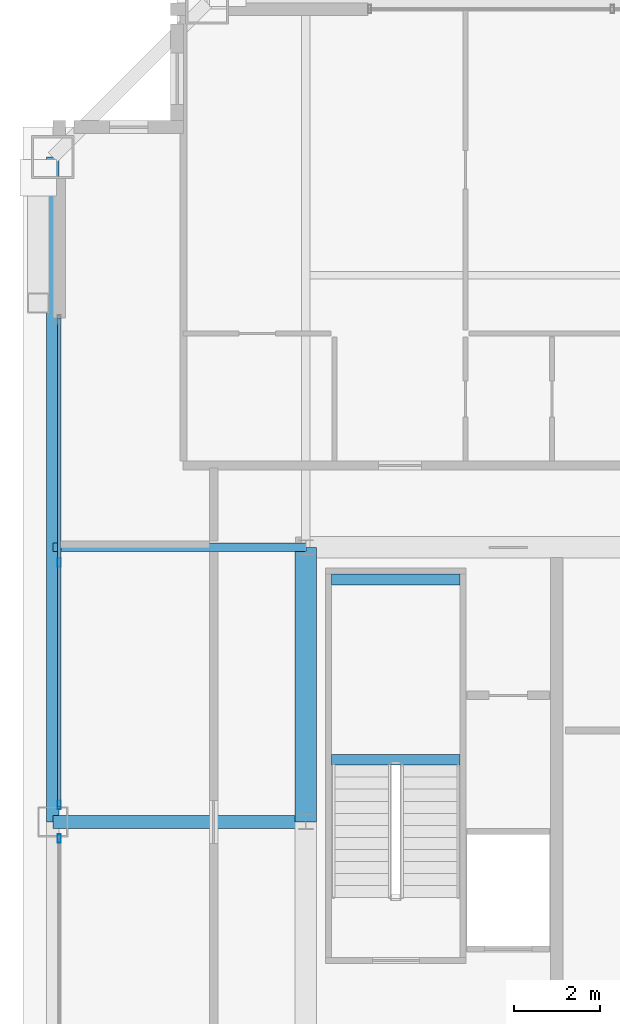
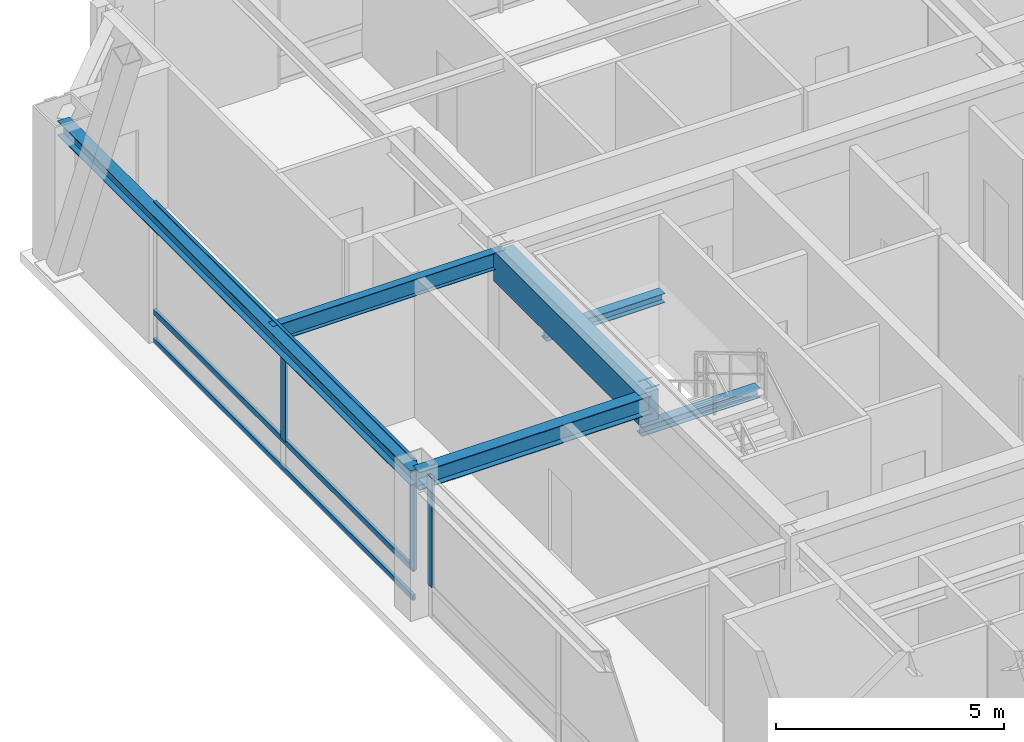
# One storey, part 11 of 35: 6 beams, 6 members, 2 elements without a shape of their own.
"""IFC4 building model written with IfcOpenShell, lengths in metres."""

from ifc_helpers import new_model, si_unit, direction, frame, origin, origin_2d, place, context, subcontext, project, spatial, rectangle, hollow_rectangle, i_section, extrude, source, transform, mapped, material, layer, layer_set, material_profile, profile_set, type_object, element, aggregate, save


model = new_model("IFC4")

# Units and contexts
model_context = context("Model", 3, precision=1e-05, world=origin(), true_north=direction((0.0, 1.0)))
body_context = subcontext(model_context, "Body", "Model", "MODEL_VIEW")
ifc_project = project(units=[si_unit("LENGTHUNIT", "METRE"), si_unit("AREAUNIT", "SQUARE_METRE"), si_unit("VOLUMEUNIT", "CUBIC_METRE"), si_unit("PLANEANGLEUNIT", "RADIAN"), si_unit("MASSUNIT", "GRAM", prefix="KILO"), si_unit("THERMODYNAMICTEMPERATUREUNIT", "KELVIN"), si_unit("POWERUNIT", "WATT")], contexts=[model_context])

# Site, building, storey
site_placement = place(None, origin())
site = spatial("IfcSite", under=ifc_project, at=site_placement, CompositionType="ELEMENT")
building_placement = place(site_placement, origin())
building = spatial("IfcBuilding", under=site, at=building_placement, Name="Yuzanri Waterfront Tower", CompositionType="ELEMENT")
storey_placement = place(building_placement, frame((0.0, 0.0, 343.199951171875)))
storey = spatial("IfcBuildingStorey", under=building, at=storey_placement, Name="L92", CompositionType="ELEMENT", Elevation=343.199951171875)

# Beams
ifc_material_1 = material(Name="Concrete C50", Category="concrete")
ifc_material_profile_1 = material_profile(ifc_material_1, rectangle(XDim=0.5, YDim=0.800048828125, at=origin_2d()), Name="RC 500x800")
ifc_profile_set_1 = profile_set([ifc_material_profile_1], Name="Concrete C50")
beam_type_1 = type_object("IfcBeamType", Name="Core Coupling Lintel Concrete C50 500x800", PredefinedType="LINTEL", material=ifc_profile_set_1)
shared_shape_1 = source(origin(), body_context, "Body", "SweptSolid", [
    extrude(rectangle(XDim=0.5, YDim=0.800048828125, at=origin_2d()), origin(), (0.0, 0.0, 1.0), 6.39990234375),
])
beam_1_placement = place(storey_placement, frame((23.800048828125, 25.800048828125, 3.360107421875), z_axis=(0.0, 1.0, 0.0), x_axis=(-1.0, 0.0, 0.0)))
element("IfcBeam", 1, at=beam_1_placement, inside=storey, type_object=beam_type_1, Name="L92 Core Tie Beam CW2", PredefinedType="LINTEL", context=body_context, shape_type="MappedRepresentation", body=[
    mapped(shared_shape_1, transform((0.0, 0.0, 0.0), scale=1.0)),
])
ifc_material_2 = material(Name="Steel Q355B", Category="steel")
ifc_material_profile_2 = material_profile(ifc_material_2, i_section(OverallWidth=0.300048828125, OverallDepth=0.389892578125, WebThickness=0.010009765625, FlangeThickness=0.01611328125, at=origin_2d()), Name="HM 390x300x10x16")
ifc_profile_set_2 = profile_set([ifc_material_profile_2], Name="Steel Q355B")
beam_type_2 = type_object("IfcBeamType", Name="Perimeter Spandrel Q355B HM 390x300", PredefinedType="SPANDREL", material=ifc_profile_set_2)
shared_shape_2 = source(origin(), body_context, "Body", "SweptSolid", [
    extrude(i_section(OverallWidth=0.300048828125, OverallDepth=0.389892578125, WebThickness=0.010009765625, FlangeThickness=0.01611328125, at=origin_2d()), origin(), (0.0, 0.0, 1.0), 15.5),
])
beam_2_placement = place(storey_placement, frame((17.89990234375, 41.300048828125, 3.56494140625), z_axis=(0.0, -1.0, 0.0), x_axis=(1.0, 0.0, 0.0)))
element("IfcBeam", 2, at=beam_2_placement, inside=storey, type_object=beam_type_2, Name="L92 Perimeter Spandrel W3-W2", PredefinedType="SPANDREL", context=body_context, shape_type="MappedRepresentation", body=[
    mapped(shared_shape_2, transform((0.0, 0.0, 0.0), scale=1.0)),
])
ifc_material_3 = material(Name="Steel Q355B", Category="steel")
ifc_material_profile_3 = material_profile(ifc_material_3, i_section(OverallWidth=0.300048828125, OverallDepth=0.488037109375, WebThickness=0.010986328125, FlangeThickness=0.01806640625, at=origin_2d()), Name="HM 488x300x11x18")
ifc_profile_set_3 = profile_set([ifc_material_profile_3], Name="Steel Q355B")
beam_type_3 = type_object("IfcBeamType", Name="Primary Floor Girder Q355B HM 488x300", PredefinedType="BEAM", material=ifc_profile_set_3)
shared_shape_3 = source(origin(), body_context, "Body", "SweptSolid", [
    extrude(i_section(OverallWidth=0.300048828125, OverallDepth=0.488037109375, WebThickness=0.010986328125, FlangeThickness=0.01806640625, at=origin_2d()), origin(), (0.0, 0.0, 1.0), 5.900146484375),
])
beam_3_placement = place(storey_placement, frame((23.800048828125, 25.800048828125, 3.51611328125), z_axis=(-1.0, 0.0, 0.0), x_axis=(0.0, -1.0, 0.0)))
element("IfcBeam", 3, at=beam_3_placement, inside=storey, type_object=beam_type_3, Name="L92 West Grid Girder", PredefinedType="BEAM", context=body_context, shape_type="MappedRepresentation", body=[
    mapped(shared_shape_3, transform((0.0, 0.0, 0.0), scale=1.0)),
])
ifc_material_4 = material(Name="Steel Q355B", Category="steel")
ifc_material_profile_4 = material_profile(ifc_material_4, i_section(OverallWidth=0.199951171875, OverallDepth=0.449951171875, WebThickness=0.009033203125, FlangeThickness=0.013916015625, at=origin_2d()), Name="HN 450x200x9x14")
ifc_profile_set_4 = profile_set([ifc_material_profile_4], Name="Steel Q355B")
beam_type_4 = type_object("IfcBeamType", Name="Secondary Floor Beam Q355B HN 450x200", PredefinedType="BEAM", material=ifc_profile_set_4)
shared_shape_4 = source(origin(), body_context, "Body", "SweptSolid", [
    extrude(i_section(OverallWidth=0.199951171875, OverallDepth=0.449951171875, WebThickness=0.009033203125, FlangeThickness=0.013916015625, at=origin_2d()), origin(), (0.0, 0.0, 1.0), 5.900146484375),
])
beam_4_placement = place(storey_placement, frame((23.800048828125, 32.199951171875, 3.53515625), z_axis=(-1.0, 0.0, 0.0), x_axis=(0.0, -1.0, 0.0)))
element("IfcBeam", 4, at=beam_4_placement, inside=storey, type_object=beam_type_4, Name="L92 West-North Core Line Beam", PredefinedType="BEAM", context=body_context, shape_type="MappedRepresentation", body=[
    mapped(shared_shape_4, transform((0.0, 0.0, 0.0), scale=1.0)),
])

# Curtain wall, members
ifc_material_5 = material(Name="Anodized Architectural Bronze", Category="metal")
ifc_layer = layer(ifc_material_5, 0.159912109375)
ifc_layer_set = layer_set([ifc_layer], Name="Anodized Architectural Bronze")
curtain_wall_type = type_object("IfcCurtainWallType", Name="Anodized Bronze High-Rise Penthouse High-Wind Unitized Curtain Wall 6900", PredefinedType="NOTDEFINED", material=ifc_layer_set)
curtain_wall_1_placement = place(storey_placement, origin())
curtain_wall_1 = element("IfcCurtainWall", 5, at=curtain_wall_1_placement, inside=storey, type_object=curtain_wall_type, Name="L92 Curtain Wall CW-L92-WR", PredefinedType="NOTDEFINED")
ifc_material_6 = material(Name="Anodized Architectural Bronze", Category="metal")
ifc_material_profile_5 = material_profile(ifc_material_6, hollow_rectangle(XDim=0.074951171875, YDim=0.14990234375, WallThickness=0.00390625, at=origin_2d()), Name="CWT 75x150")
ifc_profile_set_5 = profile_set([ifc_material_profile_5], Name="Anodized Architectural Bronze")
member_type_1 = type_object("IfcMemberType", Name="Anodized Bronze Primary Curtain-Wall Transom 75x150", PredefinedType="USERDEFINED", material=ifc_profile_set_5)
shared_shape_5 = source(origin(), body_context, "Body", "SweptSolid", [
    extrude(hollow_rectangle(XDim=0.074951171875, YDim=0.14990234375, WallThickness=0.00390625, at=origin_2d()), origin(), (0.0, 0.0, 1.0), 11.400146484375),
])
member_1_placement = place(storey_placement, frame((18.050048828125, 26.14990234375, 0.050048828125), z_axis=(0.0, 1.0, 0.0), x_axis=(-1.0, 0.0, 0.0)))
member_1 = element("IfcMember", 6, at=member_1_placement, type_object=member_type_1, Name="CW-L92-WR Transom 1", ObjectType="TRANSOM", PredefinedType="USERDEFINED", context=body_context, shape_type="MappedRepresentation", body=[
    mapped(shared_shape_5, transform((0.0, 0.0, 0.0), scale=1.0)),
])
member_2_placement = place(storey_placement, frame((18.050048828125, 26.14990234375, 0.820068359375), z_axis=(0.0, 1.0, 0.0), x_axis=(-1.0, 0.0, 0.0)))
member_2 = element("IfcMember", 7, at=member_2_placement, type_object=member_type_1, Name="CW-L92-WR Transom 2", ObjectType="TRANSOM", PredefinedType="USERDEFINED", context=body_context, shape_type="MappedRepresentation", body=[
    mapped(shared_shape_5, transform((0.0, 0.0, 0.0), scale=1.0)),
])
member_3_placement = place(storey_placement, frame((18.050048828125, 26.14990234375, 3.7099609375), z_axis=(0.0, 1.0, 0.0), x_axis=(-1.0, 0.0, 0.0)))
member_3 = element("IfcMember", 8, at=member_3_placement, type_object=member_type_1, Name="CW-L92-WR Transom 3", ObjectType="TRANSOM", PredefinedType="USERDEFINED", context=body_context, shape_type="MappedRepresentation", body=[
    mapped(shared_shape_5, transform((0.0, 0.0, 0.0), scale=1.0)),
])

# Curtain wall, member
curtain_wall_2_placement = place(storey_placement, origin())
curtain_wall_2 = element("IfcCurtainWall", 9, at=curtain_wall_2_placement, inside=storey, type_object=curtain_wall_type, Name="L92 Curtain Wall CW-L92-WL", PredefinedType="NOTDEFINED")
ifc_material_7 = material(Name="Anodized Architectural Bronze", Category="metal")
ifc_material_profile_6 = material_profile(ifc_material_7, hollow_rectangle(XDim=0.074951171875, YDim=0.199951171875, WallThickness=0.00390625, at=origin_2d()), Name="CWM 75x200")
ifc_profile_set_6 = profile_set([ifc_material_profile_6], Name="Anodized Architectural Bronze")
member_type_2 = type_object("IfcMemberType", Name="Anodized Bronze Primary Curtain-Wall Mullion 75x200", PredefinedType="MULLION", material=ifc_profile_set_6)
shared_shape_6 = source(origin(), body_context, "Body", "SweptSolid", [
    extrude(hollow_rectangle(XDim=0.074951171875, YDim=0.199951171875, WallThickness=0.00390625, at=origin_2d()), origin(), (0.0, 0.0, 1.0), 2.93798828125),
])
member_4_placement = place(storey_placement, frame((18.050048828125, 25.409912109375, 0.822021484375), z_axis=(0.0, 0.0, 1.0), x_axis=(1.0, 0.0, 0.0)))
member_4 = element("IfcMember", 10, at=member_4_placement, type_object=member_type_2, Name="CW-L92-WL Upper Mullion 02", PredefinedType="MULLION", context=body_context, shape_type="MappedRepresentation", body=[
    mapped(shared_shape_6, transform((0.0, 0.0, 0.0), scale=1.0)),
])
aggregate(curtain_wall_2, [member_4])

# Member
member_5_placement = place(storey_placement, frame((18.050048828125, 26.18994140625, 0.822021484375), z_axis=(0.0, 0.0, 1.0), x_axis=(1.0, 0.0, 0.0)))
member_5 = element("IfcMember", 11, at=member_5_placement, type_object=member_type_2, Name="CW-L92-WR Upper Mullion 00", PredefinedType="MULLION", context=body_context, shape_type="MappedRepresentation", body=[
    mapped(shared_shape_6, transform((0.0, 0.0, 0.0), scale=1.0)),
])

member_6_placement = place(storey_placement, frame((18.050048828125, 31.85009765625, 0.822021484375), z_axis=(0.0, 0.0, 1.0), x_axis=(1.0, 0.0, 0.0)))
member_6 = element("IfcMember", 12, at=member_6_placement, type_object=member_type_2, Name="CW-L92-WR Upper Mullion 01", PredefinedType="MULLION", context=body_context, shape_type="MappedRepresentation", body=[
    mapped(shared_shape_6, transform((0.0, 0.0, 0.0), scale=1.0)),
])

aggregate(curtain_wall_1, [member_5, member_6, member_1, member_2, member_3])

# Beams
ifc_material_8 = material(Name="Steel Q355B", Category="steel")
ifc_material_profile_7 = material_profile(ifc_material_8, i_section(OverallWidth=0.25, OverallDepth=0.25, WebThickness=0.009033203125, FlangeThickness=0.013916015625, at=origin_2d()), Name="HW 250x250x9x14")
ifc_profile_set_7 = profile_set([ifc_material_profile_7], Name="Steel Q355B")
beam_type_5 = type_object("IfcBeamType", Name="Stair Landing Support Beam Q355B HW 250x250", PredefinedType="BEAM", material=ifc_profile_set_7)
shared_shape_7 = source(origin(), body_context, "Body", "SweptSolid", [
    extrude(i_section(OverallWidth=0.25, OverallDepth=0.25, WebThickness=0.009033203125, FlangeThickness=0.013916015625, at=origin_2d()), origin(), (0.0, 0.0, 1.0), 3.0),
])
for number, where, z_axis, x_axis, name in (
    (13, (24.39990234375, 27.25, 1.675048828125), (1.0, 0.0, 0.0), (0.0, 1.0, 0.0), "L92 Stair Landing Support Beam ST-01-L92-L1-1"),
    (14, (24.39990234375, 31.449951171875, 1.675048828125), (1.0, 0.0, 0.0), (0.0, 1.0, 0.0), "L92 Stair Landing Support Beam ST-01-L92-L1-2"),
):
    element("IfcBeam", number, at=place(storey_placement, frame(where, z_axis=z_axis, x_axis=x_axis)), inside=storey, type_object=beam_type_5, Name=name, PredefinedType="BEAM", context=body_context, shape_type="MappedRepresentation", body=[
        mapped(shared_shape_7, transform((0.0, 0.0, 0.0), scale=1.0)),
    ])

save(model, "model.ifc")
